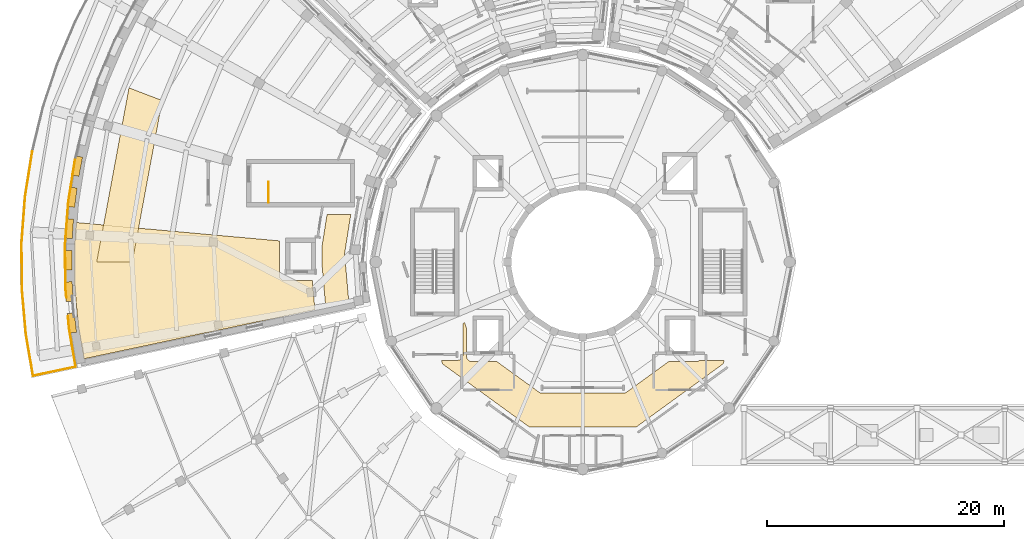
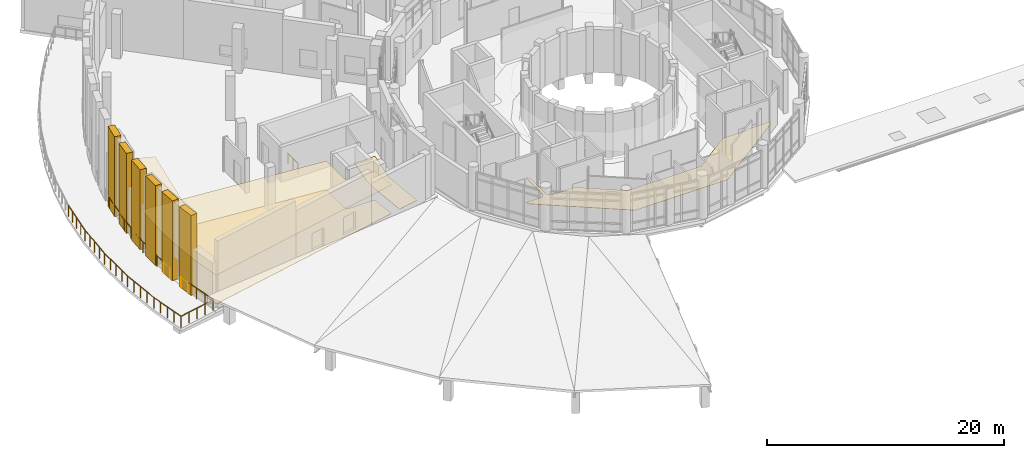
# One storey, part 62 of 75: 13 railings, 11 coverings.
"""IFC4 building model written with IfcOpenShell, lengths in metres."""

from ifc_helpers import new_model, si_unit, direction, frame, origin, origin_2d, place, context, subcontext, project, spatial, polyline, rectangle, circle, outline, extrude, material, layer, layer_set, type_object, element, save


model = new_model("IFC4")

# Units and contexts
model_context = context("Model", 3, precision=1e-05, world=origin(), true_north=direction((0.0, 1.0)))
body_context = subcontext(model_context, "Body", "Model", "MODEL_VIEW")
ifc_project = project(units=[si_unit("LENGTHUNIT", "METRE"), si_unit("AREAUNIT", "SQUARE_METRE"), si_unit("VOLUMEUNIT", "CUBIC_METRE"), si_unit("PLANEANGLEUNIT", "RADIAN"), si_unit("MASSUNIT", "GRAM", prefix="KILO")], contexts=[model_context])

# Site, building, storey
site_placement = place(None, origin())
site = spatial("IfcSite", under=ifc_project, at=site_placement, CompositionType="ELEMENT")
building_placement = place(site_placement, origin())
building = spatial("IfcBuilding", under=site, at=building_placement, Name="Soyqirgoq Riverine Aquarium", CompositionType="ELEMENT")
storey_placement = place(building_placement, frame((0.0, 0.0, 10.199951171875)))
storey = spatial("IfcBuildingStorey", under=building, at=storey_placement, Name="L03", CompositionType="ELEMENT", Elevation=10.199951171875)

# Coverings
ifc_material_1 = material(Name="Perforated mineral-fibre acoustic ceiling", Category="gypsum")
ifc_layer_1 = layer(ifc_material_1, 0.050048828125)
ifc_layer_set_1 = layer_set([ifc_layer_1], Name="Perforated mineral-fibre acoustic ceiling")
covering_type_1 = type_object("IfcCoveringType", Name="AcousticBaffleCeiling_50", PredefinedType="CEILING", material=ifc_layer_set_1)
covering_1_placement = place(storey_placement, frame((0.0, 0.0, 2.949951171875)))
element("IfcCovering", 1, at=covering_1_placement, inside=storey, type_object=covering_type_1, Name="Amphibian Terrarium Hall Suspended Ceiling", PredefinedType="CEILING", context=body_context, shape_type="SweptSolid", body=[
    extrude(outline(polyline([(13.450927734375, 51.52392578125), (13.14697265625, 55.00390625), (13.126953125, 58.4970703125), (13.26611328125, 60.33203125), (30.39990234375, 58.782958984375), (30.39990234375, 55.89990234375), (30.402099609375, 55.85595703125), (30.408935546875, 55.81201171875), (30.4189453125, 55.76904296875), (30.43408203125, 55.72802734375), (30.452880859375, 55.68798828125), (30.47607421875, 55.64990234375), (30.501953125, 55.614990234375), (30.531982421875, 55.58203125), (30.56494140625, 55.552001953125), (30.60009765625, 55.52587890625), (30.637939453125, 55.5029296875), (30.677978515625, 55.48388671875), (30.718994140625, 55.468994140625), (30.761962890625, 55.458984375), (30.805908203125, 55.451904296875), (30.85009765625, 55.449951171875), (33.18603515625, 55.449951171875), (33.403076171875, 52.97412109375), (13.909912109375, 48.8310546875), (13.450927734375, 51.52392578125)])), origin(), (0.0, 0.0, 1.0), 0.050048828125),
])
ifc_material_2 = material(Name="Perforated anodised aluminium travertine-tone soffit", Category="masonry")
ifc_layer_2 = layer(ifc_material_2, 0.080078125)
ifc_layer_set_2 = layer_set([ifc_layer_2], Name="Perforated anodised aluminium travertine-tone soffit")
covering_type_2 = type_object("IfcCoveringType", Name="PrairieEaveSoffit_80", PredefinedType="CLADDING", material=ifc_layer_set_2)
covering_2_placement = place(storey_placement, frame((0.0, 0.0, -0.35986328125)))
element("IfcCovering", 2, at=covering_2_placement, inside=storey, type_object=covering_type_2, Name="V3 L03 Prairie Eave Travertine Soffit 04", PredefinedType="CLADDING", context=body_context, shape_type="SweptSolid", body=[
    extrude(outline(polyline([(20.52392578125, 70.617919921875), (17.72314453125, 71.693115234375), (15.0, 57.0), (18.0, 57.0), (20.52392578125, 70.617919921875)])), origin(), (0.0, 0.0, 1.0), 0.079833984375),
])

# Railings
ifc_material_3 = material(Name="Painted steel infill stair-well guardrail", Category="steel")
railing_type_1 = type_object("IfcRailingType", Name="StairWellGuard_1120", PredefinedType="GUARDRAIL", material=ifc_material_3)
railing_1_placement = place(storey_placement, frame((29.5, 62.0, 0.0)))
element("IfcRailing", 3, at=railing_1_placement, inside=storey, type_object=railing_type_1, Name="L03 ST-3 top well guard 1", PredefinedType="GUARDRAIL", context=body_context, shape_type="SweptSolid", body=[
    extrude(circle(Radius=0.02392578125, at=origin_2d()), frame((0.0, 0.0, 1.09619140625), z_axis=(0.0, 1.0, 0.0), x_axis=(-1.0, 0.0, 0.0)), (0.0, 0.0, 1.0), 1.75),
    extrude(circle(Radius=0.02099609375, at=origin_2d()), origin(), (0.0, 0.0, 1.0), 1.072021484375),
    extrude(circle(Radius=0.02099609375, at=origin_2d()), frame((0.0, 0.875, 0.0)), (0.0, 0.0, 1.0), 1.072021484375),
    extrude(circle(Radius=0.02099609375, at=origin_2d()), frame((0.0, 1.75, 0.0)), (0.0, 0.0, 1.0), 1.072021484375),
])
ifc_material_4 = material(Name="Laminated safety glass and stainless steel balustrade", Category="steel")
railing_type_2 = type_object("IfcRailingType", Name="TerraceGuard_1150", PredefinedType="BALUSTRADE", material=ifc_material_4)
railing_2_placement = place(storey_placement, frame((13.161865234375, 65.585693359375, 0.0)))
element("IfcRailing", 4, at=railing_2_placement, inside=storey, type_object=railing_type_2, Name="V3 L03 Terrace Perimeter Balustrade 010", PredefinedType="BALUSTRADE", context=body_context, shape_type="SweptSolid", body=[
    extrude(circle(Radius=0.02392578125, at=origin_2d()), frame((0.0, 0.0, 1.1259765625), z_axis=(-0.156470023236, -0.987682708074, 0.0), x_axis=(0.987682708074, -0.156470023236, 0.0)), (0.0, 0.0, 1.0), 3.557373046875),
    extrude(circle(Radius=0.02099609375, at=origin_2d()), origin(), (0.0, 0.0, 1.0), 1.101806640625),
    extrude(circle(Radius=0.02099609375, at=origin_2d()), frame((-0.185546875, -1.171142578125, 0.0)), (0.0, 0.0, 1.0), 1.101806640625),
    extrude(circle(Radius=0.02099609375, at=origin_2d()), frame((-0.37109375, -2.342529296875, 0.0)), (0.0, 0.0, 1.0), 1.101806640625),
    extrude(circle(Radius=0.02099609375, at=origin_2d()), frame((-0.556640625, -3.513671875, 0.0)), (0.0, 0.0, 1.0), 1.101806640625),
])
railing_3_placement = place(storey_placement, frame((12.605224609375, 62.072021484375, 0.0)))
element("IfcRailing", 5, at=railing_3_placement, inside=storey, type_object=railing_type_2, Name="V3 L03 Terrace Perimeter Balustrade 011", PredefinedType="BALUSTRADE", context=body_context, shape_type="SweptSolid", body=[
    extrude(circle(Radius=0.02392578125, at=origin_2d()), frame((0.0, 0.0, 1.1259765625), z_axis=(-0.075562825262, -0.997141042901, 0.0), x_axis=(0.997141042901, -0.075562825262, 0.0)), (0.0, 0.0, 1.0), 3.557373046875),
    extrude(circle(Radius=0.02099609375, at=origin_2d()), origin(), (0.0, 0.0, 1.0), 1.101806640625),
    extrude(circle(Radius=0.02099609375, at=origin_2d()), frame((-0.089599609375, -1.182373046875, 0.0)), (0.0, 0.0, 1.0), 1.101806640625),
    extrude(circle(Radius=0.02099609375, at=origin_2d()), frame((-0.17919921875, -2.36474609375, 0.0)), (0.0, 0.0, 1.0), 1.101806640625),
    extrude(circle(Radius=0.02099609375, at=origin_2d()), frame((-0.268798828125, -3.547119140625, 0.0)), (0.0, 0.0, 1.0), 1.101806640625),
])
railing_4_placement = place(storey_placement, frame((12.33642578125, 58.52490234375, 0.0)))
element("IfcRailing", 6, at=railing_4_placement, inside=storey, type_object=railing_type_2, Name="V3 L03 Terrace Perimeter Balustrade 012", PredefinedType="BALUSTRADE", context=body_context, shape_type="SweptSolid", body=[
    extrude(circle(Radius=0.02392578125, at=origin_2d()), frame((0.0, 0.0, 1.1259765625), z_axis=(0.005833005351, -0.99998298788, 0.0), x_axis=(0.99998298788, 0.005833005351, 0.0)), (0.0, 0.0, 1.0), 3.5576171875),
    extrude(circle(Radius=0.02099609375, at=origin_2d()), origin(), (0.0, 0.0, 1.0), 1.101806640625),
    extrude(circle(Radius=0.02099609375, at=origin_2d()), frame((0.0068359375, -1.185791015625, 0.0)), (0.0, 0.0, 1.0), 1.101806640625),
    extrude(circle(Radius=0.02099609375, at=origin_2d()), frame((0.013916015625, -2.371826171875, 0.0)), (0.0, 0.0, 1.0), 1.101806640625),
    extrude(circle(Radius=0.02099609375, at=origin_2d()), frame((0.020751953125, -3.5576171875, 0.0)), (0.0, 0.0, 1.0), 1.101806640625),
])
for number, where, name in (
    (7, (12.357177734375, 54.96728515625, 0.0), "V3 L03 Terrace Perimeter Balustrade 013"),
    (8, (12.5830078125, 52.3857421875, 0.0), "V3 L03 Terrace Perimeter Balustrade 014"),
):
    element("IfcRailing", number, at=place(storey_placement, frame(where)), inside=storey, type_object=railing_type_2, Name=name, PredefinedType="BALUSTRADE", context=body_context, shape_type="SweptSolid", body=[
        extrude(circle(Radius=0.02392578125, at=origin_2d()), frame((0.0, 0.0, 1.1259765625), z_axis=(0.087185759682, -0.996192071495, 0.0), x_axis=(0.996192071495, 0.087185759682, 0.0)), (0.0, 0.0, 1.0), 0.966064453125),
        extrude(circle(Radius=0.02099609375, at=origin_2d()), origin(), (0.0, 0.0, 1.0), 1.101806640625),
        extrude(circle(Radius=0.02099609375, at=origin_2d()), frame((0.084228515625, -0.96240234375, 0.0)), (0.0, 0.0, 1.0), 1.101806640625),
    ])
railing_5_placement = place(storey_placement, frame((12.667236328125, 51.42333984375, 0.0)))
element("IfcRailing", 9, at=railing_5_placement, inside=storey, type_object=railing_type_2, Name="V3 L03 Terrace Perimeter Balustrade 015", PredefinedType="BALUSTRADE", context=body_context, shape_type="SweptSolid", body=[
    extrude(circle(Radius=0.02392578125, at=origin_2d()), frame((0.0, 0.0, 1.1259765625), z_axis=(0.16794130353, -0.985796996632, 0.0), x_axis=(0.985796996632, 0.16794130353, 0.0)), (0.0, 0.0, 1.0), 3.30712890625),
    extrude(circle(Radius=0.02099609375, at=origin_2d()), origin(), (0.0, 0.0, 1.0), 1.101806640625),
    extrude(circle(Radius=0.02099609375, at=origin_2d()), frame((0.18505859375, -1.086669921875, 0.0)), (0.0, 0.0, 1.0), 1.101806640625),
    extrude(circle(Radius=0.02099609375, at=origin_2d()), frame((0.370361328125, -2.173583984375, 0.0)), (0.0, 0.0, 1.0), 1.101806640625),
    extrude(circle(Radius=0.02099609375, at=origin_2d()), frame((0.555419921875, -3.26025390625, 0.0)), (0.0, 0.0, 1.0), 1.101806640625),
])
railing_6_placement = place(storey_placement, frame((13.22265625, 48.1630859375, 0.0)))
element("IfcRailing", 10, at=railing_6_placement, inside=storey, type_object=railing_type_2, Name="V3 L03 Terrace Perimeter Balustrade 016", PredefinedType="BALUSTRADE", context=body_context, shape_type="SweptSolid", body=[
    extrude(circle(Radius=0.02392578125, at=origin_2d()), frame((0.0, 0.0, 1.1259765625), z_axis=(-0.978137034754, -0.207961393637, 0.0), x_axis=(0.207961393637, -0.978137034754, 0.0)), (0.0, 0.0, 1.0), 3.669921875),
    extrude(circle(Radius=0.02099609375, at=origin_2d()), origin(), (0.0, 0.0, 1.0), 1.101806640625),
    extrude(circle(Radius=0.02099609375, at=origin_2d()), frame((-0.8974609375, -0.19091796875, 0.0)), (0.0, 0.0, 1.0), 1.101806640625),
    extrude(circle(Radius=0.02099609375, at=origin_2d()), frame((-1.794921875, -0.381591796875, 0.0)), (0.0, 0.0, 1.0), 1.101806640625),
    extrude(circle(Radius=0.02099609375, at=origin_2d()), frame((-2.692138671875, -0.572265625, 0.0)), (0.0, 0.0, 1.0), 1.101806640625),
    extrude(circle(Radius=0.02099609375, at=origin_2d()), frame((-3.589599609375, -0.76318359375, 0.0)), (0.0, 0.0, 1.0), 1.101806640625),
])
railing_7_placement = place(storey_placement, frame((9.633056640625, 47.39990234375, 0.0)))
element("IfcRailing", 11, at=railing_7_placement, inside=storey, type_object=railing_type_2, Name="V3 L03 Terrace Perimeter Balustrade 017", PredefinedType="BALUSTRADE", context=body_context, shape_type="SweptSolid", body=[
    extrude(circle(Radius=0.02392578125, at=origin_2d()), frame((0.0, 0.0, 1.1259765625), z_axis=(-0.167900140154, 0.985804008379, 0.0), x_axis=(-0.985804008379, -0.167900140154, 0.0)), (0.0, 0.0, 1.0), 3.606201171875),
    extrude(circle(Radius=0.02099609375, at=origin_2d()), origin(), (0.0, 0.0, 1.0), 1.101806640625),
    extrude(circle(Radius=0.02099609375, at=origin_2d()), frame((-0.1513671875, 0.888671875, 0.0)), (0.0, 0.0, 1.0), 1.101806640625),
    extrude(circle(Radius=0.02099609375, at=origin_2d()), frame((-0.302734375, 1.77734375, 0.0)), (0.0, 0.0, 1.0), 1.101806640625),
    extrude(circle(Radius=0.02099609375, at=origin_2d()), frame((-0.4541015625, 2.666259765625, 0.0)), (0.0, 0.0, 1.0), 1.101806640625),
    extrude(circle(Radius=0.02099609375, at=origin_2d()), frame((-0.60546875, 3.554931640625, 0.0)), (0.0, 0.0, 1.0), 1.101806640625),
])
railing_8_placement = place(storey_placement, frame((9.027587890625, 50.954833984375, 0.0)))
element("IfcRailing", 12, at=railing_8_placement, inside=storey, type_object=railing_type_2, Name="V3 L03 Terrace Perimeter Balustrade 018", PredefinedType="BALUSTRADE", context=body_context, shape_type="SweptSolid", body=[
    extrude(circle(Radius=0.02392578125, at=origin_2d()), frame((0.0, 0.0, 1.1259765625), z_axis=(-0.087178730822, 0.996192686629, 0.0), x_axis=(-0.996192686629, -0.087178730822, 0.0)), (0.0, 0.0, 1.0), 3.856201171875),
    extrude(circle(Radius=0.02099609375, at=origin_2d()), origin(), (0.0, 0.0, 1.0), 1.101806640625),
    extrude(circle(Radius=0.02099609375, at=origin_2d()), frame((-0.083984375, 0.96044921875, 0.0)), (0.0, 0.0, 1.0), 1.101806640625),
    extrude(circle(Radius=0.02099609375, at=origin_2d()), frame((-0.16796875, 1.9208984375, 0.0)), (0.0, 0.0, 1.0), 1.101806640625),
    extrude(circle(Radius=0.02099609375, at=origin_2d()), frame((-0.252197265625, 2.881103515625, 0.0)), (0.0, 0.0, 1.0), 1.101806640625),
    extrude(circle(Radius=0.02099609375, at=origin_2d()), frame((-0.336181640625, 3.841552734375, 0.0)), (0.0, 0.0, 1.0), 1.101806640625),
])
railing_9_placement = place(storey_placement, frame((8.69140625, 54.79638671875, 0.0)))
element("IfcRailing", 13, at=railing_9_placement, inside=storey, type_object=railing_type_2, Name="V3 L03 Terrace Perimeter Balustrade 019", PredefinedType="BALUSTRADE", context=body_context, shape_type="SweptSolid", body=[
    extrude(circle(Radius=0.02392578125, at=origin_2d()), frame((0.0, 0.0, 1.1259765625), z_axis=(-0.005824160523, 0.999983039433, 0.0), x_axis=(-0.999983039433, -0.005824160523, 0.0)), (0.0, 0.0, 1.0), 3.8564453125),
    extrude(circle(Radius=0.02099609375, at=origin_2d()), origin(), (0.0, 0.0, 1.0), 1.101806640625),
    extrude(circle(Radius=0.02099609375, at=origin_2d()), frame((-0.005615234375, 0.964111328125, 0.0)), (0.0, 0.0, 1.0), 1.101806640625),
    extrude(circle(Radius=0.02099609375, at=origin_2d()), frame((-0.01123046875, 1.92822265625, 0.0)), (0.0, 0.0, 1.0), 1.101806640625),
    extrude(circle(Radius=0.02099609375, at=origin_2d()), frame((-0.016845703125, 2.892333984375, 0.0)), (0.0, 0.0, 1.0), 1.101806640625),
    extrude(circle(Radius=0.02099609375, at=origin_2d()), frame((-0.0224609375, 3.8564453125, 0.0)), (0.0, 0.0, 1.0), 1.101806640625),
])
railing_10_placement = place(storey_placement, frame((8.6689453125, 58.65283203125, 0.0)))
element("IfcRailing", 14, at=railing_10_placement, inside=storey, type_object=railing_type_2, Name="V3 L03 Terrace Perimeter Balustrade 020", PredefinedType="BALUSTRADE", context=body_context, shape_type="SweptSolid", body=[
    extrude(circle(Radius=0.02392578125, at=origin_2d()), frame((0.0, 0.0, 1.1259765625), z_axis=(0.075592616455, 0.997138784893, 0.0), x_axis=(-0.997138784893, 0.075592616455, 0.0)), (0.0, 0.0, 1.0), 3.856201171875),
    extrude(circle(Radius=0.02099609375, at=origin_2d()), origin(), (0.0, 0.0, 1.0), 1.101806640625),
    extrude(circle(Radius=0.02099609375, at=origin_2d()), frame((0.07275390625, 0.96142578125, 0.0)), (0.0, 0.0, 1.0), 1.101806640625),
    extrude(circle(Radius=0.02099609375, at=origin_2d()), frame((0.145751953125, 1.922607421875, 0.0)), (0.0, 0.0, 1.0), 1.101806640625),
    extrude(circle(Radius=0.02099609375, at=origin_2d()), frame((0.21875, 2.8837890625, 0.0)), (0.0, 0.0, 1.0), 1.101806640625),
    extrude(circle(Radius=0.02099609375, at=origin_2d()), frame((0.29150390625, 3.84521484375, 0.0)), (0.0, 0.0, 1.0), 1.101806640625),
])
railing_11_placement = place(storey_placement, frame((8.96044921875, 62.498046875, 0.0)))
element("IfcRailing", 15, at=railing_11_placement, inside=storey, type_object=railing_type_2, Name="V3 L03 Terrace Perimeter Balustrade 021", PredefinedType="BALUSTRADE", context=body_context, shape_type="SweptSolid", body=[
    extrude(circle(Radius=0.02392578125, at=origin_2d()), frame((0.0, 0.0, 1.1259765625), z_axis=(0.156437203878, 0.987687906802, 0.0), x_axis=(-0.987687906802, 0.156437203878, 0.0)), (0.0, 0.0, 1.0), 3.856201171875),
    extrude(circle(Radius=0.02099609375, at=origin_2d()), origin(), (0.0, 0.0, 1.0), 1.101806640625),
    extrude(circle(Radius=0.02099609375, at=origin_2d()), frame((0.15087890625, 0.9521484375, 0.0)), (0.0, 0.0, 1.0), 1.101806640625),
    extrude(circle(Radius=0.02099609375, at=origin_2d()), frame((0.3017578125, 1.904296875, 0.0)), (0.0, 0.0, 1.0), 1.101806640625),
    extrude(circle(Radius=0.02099609375, at=origin_2d()), frame((0.452392578125, 2.856689453125, 0.0)), (0.0, 0.0, 1.0), 1.101806640625),
    extrude(circle(Radius=0.02099609375, at=origin_2d()), frame((0.603271484375, 3.808837890625, 0.0)), (0.0, 0.0, 1.0), 1.101806640625),
])

# Coverings
ifc_material_5 = material(Name="Polished Chirchiq river-pebble terrazzo flooring", Category="concrete")
ifc_layer_3 = layer(ifc_material_5, 0.030029296875)
ifc_layer_set_3 = layer_set([ifc_layer_3], Name="Polished Chirchiq river-pebble terrazzo flooring")
covering_type_3 = type_object("IfcCoveringType", Name="TerrazzoFloorFinish_30", PredefinedType="FLOORING", material=ifc_layer_set_3)
covering_3_placement = place(storey_placement, origin())
element("IfcCovering", 16, at=covering_3_placement, inside=storey, type_object=covering_type_3, Name="Ocean Drum Circulation Corridor Floor Finish", PredefinedType="FLOORING", context=body_context, shape_type="SweptSolid", body=[
    extrude(outline(polyline([(45.43994140625, 48.7099609375), (45.48388671875, 48.7119140625), (45.528076171875, 48.718994140625), (45.571044921875, 48.72900390625), (45.612060546875, 48.743896484375), (45.652099609375, 48.762939453125), (45.68994140625, 48.785888671875), (45.72509765625, 48.81201171875), (45.758056640625, 48.842041015625), (45.7880859375, 48.875), (45.81396484375, 48.909912109375), (45.8369140625, 48.947998046875), (45.85595703125, 48.988037109375), (45.87109375, 49.029052734375), (45.881103515625, 49.072021484375), (45.887939453125, 49.115966796875), (45.889892578125, 49.159912109375), (45.889892578125, 51.822998046875), (45.922119140625, 51.833984375), (45.9619140625, 51.85302734375), (46.0, 51.8759765625), (46.033935546875, 51.90087890625), (46.199951171875, 51.388916015625), (46.199951171875, 49.050048828125), (46.201904296875, 49.006103515625), (46.208984375, 48.9619140625), (46.218994140625, 48.9189453125), (46.23388671875, 48.8779296875), (46.2529296875, 48.837890625), (46.27587890625, 48.800048828125), (46.302001953125, 48.764892578125), (46.33203125, 48.73193359375), (46.364990234375, 48.701904296875), (46.39990234375, 48.676025390625), (46.43798828125, 48.653076171875), (46.47802734375, 48.634033203125), (46.51904296875, 48.618896484375), (46.56201171875, 48.60888671875), (46.60595703125, 48.60205078125), (46.64990234375, 48.60009765625), (48.7548828125, 48.60009765625), (52.2900390625, 46.031982421875), (52.3291015625, 46.006103515625), (52.37109375, 45.985107421875), (52.4150390625, 45.968017578125), (52.4609375, 45.9560546875), (52.507080078125, 45.947998046875), (52.553955078125, 45.946044921875), (59.446044921875, 45.946044921875), (59.492919921875, 45.947998046875), (59.5390625, 45.9560546875), (59.5849609375, 45.968017578125), (59.62890625, 45.985107421875), (59.6708984375, 46.006103515625), (59.7099609375, 46.031982421875), (63.2451171875, 48.60009765625), (65.550048828125, 48.60009765625), (65.593994140625, 48.60205078125), (65.637939453125, 48.60888671875), (65.680908203125, 48.618896484375), (65.721923828125, 48.634033203125), (65.761962890625, 48.653076171875), (65.800048828125, 48.676025390625), (65.8349609375, 48.701904296875), (65.844970703125, 48.7109375), (65.860107421875, 48.7099609375), (67.93310546875, 48.7099609375), (67.8330078125, 48.403076171875), (60.52001953125, 43.089111328125), (51.47998046875, 43.089111328125), (44.1669921875, 48.403076171875), (44.06689453125, 48.7099609375), (45.43994140625, 48.7099609375)])), origin(), (0.0, 0.0, 1.0), 0.030029296875),
])
covering_4_placement = place(storey_placement, origin())
element("IfcCovering", 17, at=covering_4_placement, inside=storey, type_object=covering_type_3, Name="V3 Gallery Circulation Corridor Floor Finish", PredefinedType="FLOORING", context=body_context, shape_type="SweptSolid", body=[
    extrude(outline(polyline([(34.320068359375, 53.1689453125), (34.0, 56.820068359375), (34.0, 58.2958984375), (34.427978515625, 61.0), (36.430908203125, 61.0), (35.91796875, 57.756103515625), (35.912109375, 57.701904296875), (35.9140625, 57.64697265625), (36.26904296875, 53.5830078125), (34.320068359375, 53.1689453125)])), origin(), (0.0, 0.0, 1.0), 0.030029296875),
])
covering_5_placement = place(storey_placement, origin())
element("IfcCovering", 18, at=covering_5_placement, inside=storey, type_object=covering_type_3, Name="Amphibian Terrarium Hall Floor Finish", PredefinedType="FLOORING", context=body_context, shape_type="SweptSolid", body=[
    extrude(outline(polyline([(13.450927734375, 51.52392578125), (13.14697265625, 55.00390625), (13.126953125, 58.4970703125), (13.26611328125, 60.33203125), (30.39990234375, 58.782958984375), (30.39990234375, 55.89990234375), (30.402099609375, 55.85595703125), (30.408935546875, 55.81201171875), (30.4189453125, 55.76904296875), (30.43408203125, 55.72802734375), (30.452880859375, 55.68798828125), (30.47607421875, 55.64990234375), (30.501953125, 55.614990234375), (30.531982421875, 55.58203125), (30.56494140625, 55.552001953125), (30.60009765625, 55.52587890625), (30.637939453125, 55.5029296875), (30.677978515625, 55.48388671875), (30.718994140625, 55.468994140625), (30.761962890625, 55.458984375), (30.805908203125, 55.451904296875), (30.85009765625, 55.449951171875), (33.18603515625, 55.449951171875), (33.403076171875, 52.97412109375), (13.909912109375, 48.8310546875), (13.450927734375, 51.52392578125)])), origin(), (0.0, 0.0, 1.0), 0.030029296875),
])
ifc_material_6 = material(Name="Honed Uzbek travertine limestone vertical niche pier", Category="masonry")
covering_type_4 = type_object("IfcCoveringType", Name="TravertineNichePier_550", PredefinedType="CLADDING", material=ifc_material_6)
for number, where, z_axis, x_axis, name in (
    (19, (13.360107421875, 65.086669921875, 0.0), (0.0, 0.0, 1.0), (-0.982482937347, 0.186352563227, 0.0), "V3 L03 Travertine Vertical Niche Pier 057"),
    (20, (12.945068359375, 62.462646484375, 0.0), (0.0, 0.0, 1.0), (-0.992048940993, 0.125852686403, 0.0), "V3 L03 Travertine Vertical Niche Pier 058"),
    (21, (12.691650390625, 59.818115234375, 0.0), (0.0, 0.0, 1.0), (-0.997893031451, 0.064880642578, 0.0), "V3 L03 Travertine Vertical Niche Pier 059"),
    (22, (12.600341796875, 57.1630859375, 0.0), (0.0, 0.0, 1.0), (-0.999992628267, 0.003839714919, 0.0), "V3 L03 Travertine Vertical Niche Pier 060"),
    (23, (12.671630859375, 54.507568359375, 0.0), (0.0, 0.0, 1.0), (-0.998351848226, -0.057389782566, 0.0), "V3 L03 Travertine Vertical Niche Pier 061"),
    (24, (12.9052734375, 51.861328125, 0.0), (0.0, 0.0, 1.0), (-0.992965508107, -0.118403968307, 0.0), "V3 L03 Travertine Vertical Niche Pier 062"),
):
    element("IfcCovering", number, at=place(storey_placement, frame(where, z_axis=z_axis, x_axis=x_axis)), inside=storey, type_object=covering_type_4, Name=name, PredefinedType="CLADDING", context=body_context, shape_type="SweptSolid", body=[
        extrude(rectangle(XDim=0.60009765625, YDim=1.64990234375, at=origin_2d()), origin(), (0.0, 0.0, 1.0), 8.25),
    ])

save(model, "model.ifc")
